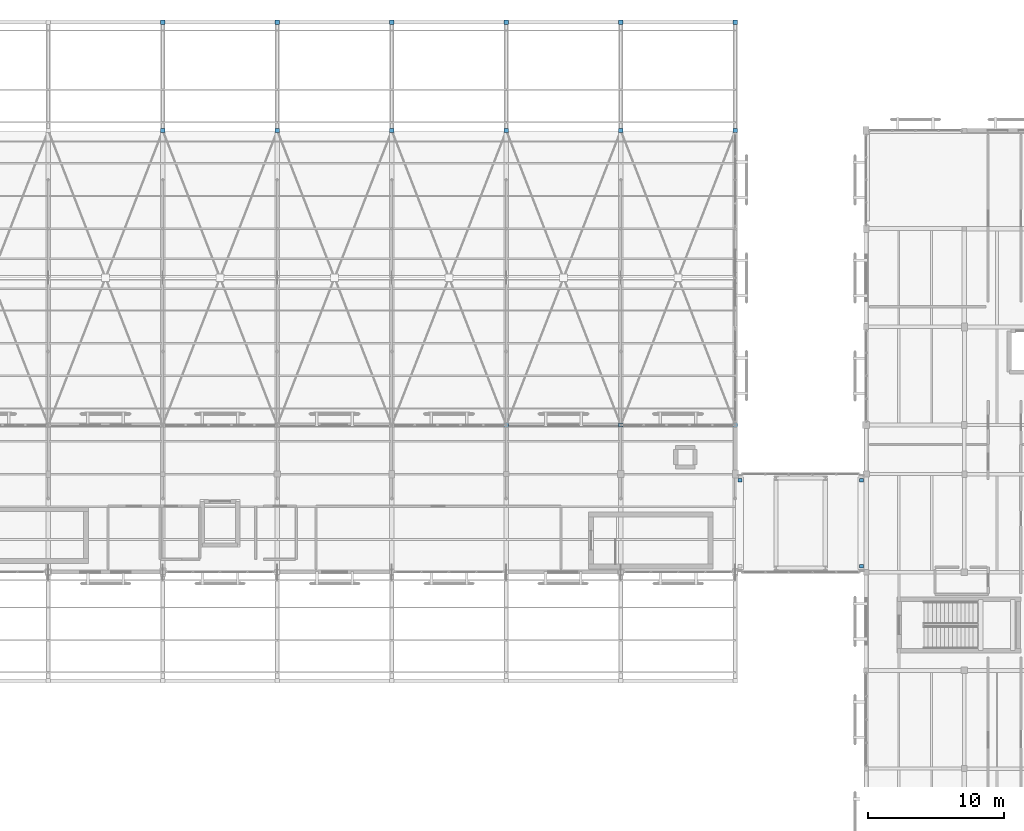
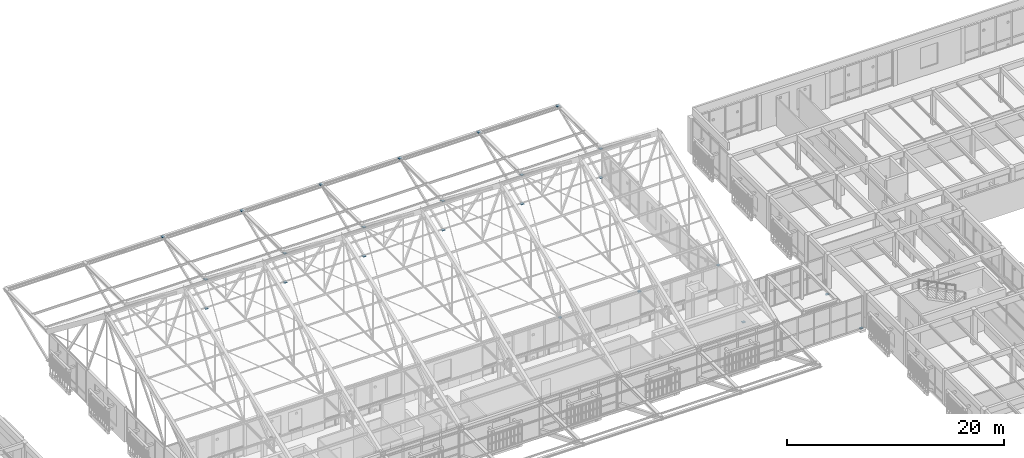
# One storey, part 195 of 217: 24 discrete accessories.
"""IFC4 building model written with IfcOpenShell, lengths in metres."""

from ifc_helpers import new_model, si_unit, direction, frame, origin, origin_2d, place, context, subcontext, project, spatial, rectangle, extrude, material, type_object, element, save


model = new_model("IFC4")

# Units and contexts
model_context = context("Model", 3, precision=1e-05, world=origin(), true_north=direction((0.0, 1.0)))
body_context = subcontext(model_context, "Body", "Model", "MODEL_VIEW")
ifc_project = project(units=[si_unit("LENGTHUNIT", "METRE"), si_unit("AREAUNIT", "SQUARE_METRE"), si_unit("VOLUMEUNIT", "CUBIC_METRE"), si_unit("PLANEANGLEUNIT", "RADIAN"), si_unit("MASSUNIT", "GRAM", prefix="KILO")], contexts=[model_context])

# Site, building, storey
site_placement = place(None, origin())
site = spatial("IfcSite", under=ifc_project, at=site_placement, CompositionType="ELEMENT")
building_placement = place(site_placement, origin())
building = spatial("IfcBuilding", under=site, at=building_placement, Name="Mazaris Harbour Polytechnic", CompositionType="ELEMENT")
storey_placement = place(building_placement, frame((0.0, 0.0, 9.60009765625)))
storey = spatial("IfcBuildingStorey", under=building, at=storey_placement, Name="L02", CompositionType="ELEMENT", Elevation=9.60009765625)

# Discrete accessories
ifc_material_1 = material(Name="Steel S355", Category="steel")
discrete_accessory_type_1 = type_object("IfcDiscreteAccessoryType", Name="PTFE Sliding Bridge Bearing 300x250x65 Exterior", PredefinedType="BRACKET", material=ifc_material_1)
for number, where, z_axis, x_axis, name in (
    (1, (113.14990234375, 82.35009765625, -0.330078125), (0.0, 0.0, 1.0), (1.0, 0.0, 0.0), "PB-E2 L02 PTFE Sliding Bearing W2"),
    (2, (122.050048828125, 76.050048828125, -0.330078125), (0.0, 0.0, 1.0), (1.0, 0.0, 0.0), "PB-E2 L02 PTFE Sliding Bearing E1"),
    (3, (122.050048828125, 82.35009765625, -0.330078125), (0.0, 0.0, 1.0), (1.0, 0.0, 0.0), "PB-E2 L02 PTFE Sliding Bearing E2"),
):
    element("IfcDiscreteAccessory", number, at=place(storey_placement, frame(where, z_axis=z_axis, x_axis=x_axis)), inside=storey, type_object=discrete_accessory_type_1, Name=name, PredefinedType="BRACKET", context=body_context, shape_type="SweptSolid", body=[
        extrude(rectangle(XDim=0.300048828125, YDim=0.25, at=origin_2d()), origin(), (0.0, 0.0, 1.0), 0.06494140625),
    ])
ifc_material_2 = material(Name="Steel S355", Category="steel")
discrete_accessory_type_2 = type_object("IfcDiscreteAccessoryType", Name="Steel Brace End Connection Plate 300x300x24", PredefinedType="BRACKET", material=ifc_material_2)
for number, where, z_axis, x_axis, name in (
    (4, (70.800048828125, 108.0, 3.738037109375), (0.0, 0.0, 1.0), (1.0, 0.0, 0.0), "Wind Brace End Connection Plate 3-2"),
    (5, (79.199951171875, 108.0, 3.738037109375), (0.0, 0.0, 1.0), (1.0, 0.0, 0.0), "Wind Brace End Connection Plate 4-2"),
    (6, (87.60009765625, 108.0, 3.738037109375), (0.0, 0.0, 1.0), (1.0, 0.0, 0.0), "Wind Brace End Connection Plate 5-2"),
    (7, (96.0, 86.39990234375, 3.738037109375), (0.0, 0.0, 1.0), (1.0, 0.0, 0.0), "Wind Brace End Connection Plate 6-1"),
    (8, (96.0, 108.0, 3.738037109375), (0.0, 0.0, 1.0), (1.0, 0.0, 0.0), "Wind Brace End Connection Plate 6-2"),
    (9, (104.39990234375, 86.39990234375, 3.738037109375), (0.0, 0.0, 1.0), (1.0, 0.0, 0.0), "Wind Brace End Connection Plate 7-1"),
    (10, (104.39990234375, 108.0, 3.738037109375), (0.0, 0.0, 1.0), (1.0, 0.0, 0.0), "Wind Brace End Connection Plate 7-2"),
    (11, (112.800048828125, 86.39990234375, 3.738037109375), (0.0, 0.0, 1.0), (1.0, 0.0, 0.0), "Wind Brace End Connection Plate 7-3"),
    (12, (112.800048828125, 108.0, 3.738037109375), (0.0, 0.0, 1.0), (1.0, 0.0, 0.0), "Wind Brace End Connection Plate 7-4"),
):
    element("IfcDiscreteAccessory", number, at=place(storey_placement, frame(where, z_axis=z_axis, x_axis=x_axis)), inside=storey, type_object=discrete_accessory_type_2, Name=name, PredefinedType="BRACKET", context=body_context, shape_type="SweptSolid", body=[
        extrude(rectangle(XDim=0.300048828125, YDim=0.300048828125, at=origin_2d()), origin(), (0.0, 0.0, 1.0), 0.02392578125),
    ])
ifc_material_3 = material(Name="Steel S355", Category="steel")
discrete_accessory_type_3 = type_object("IfcDiscreteAccessoryType", Name="Steel Brace End Connection Plate 320x320x24 Exterior", PredefinedType="BRACKET", material=ifc_material_3)
for number, where, z_axis, x_axis, name in (
    (13, (70.800048828125, 108.0, 0.488037109375), (0.0, 0.0, 1.0), (1.0, 0.0, 0.0), "Truss 3 Eave Strut End Plate 3"),
    (14, (70.800048828125, 115.949951171875, 3.738037109375), (0.0, 0.0, 1.0), (1.0, 0.0, 0.0), "Truss 3 Eave Strut End Plate 4"),
    (15, (79.199951171875, 108.0, 0.488037109375), (0.0, 0.0, 1.0), (1.0, 0.0, 0.0), "Truss 4 Eave Strut End Plate 3"),
    (16, (79.199951171875, 115.949951171875, 3.738037109375), (0.0, 0.0, 1.0), (1.0, 0.0, 0.0), "Truss 4 Eave Strut End Plate 4"),
    (17, (87.60009765625, 108.0, 0.488037109375), (0.0, 0.0, 1.0), (1.0, 0.0, 0.0), "Truss 5 Eave Strut End Plate 3"),
    (18, (87.60009765625, 115.949951171875, 3.738037109375), (0.0, 0.0, 1.0), (1.0, 0.0, 0.0), "Truss 5 Eave Strut End Plate 4"),
    (19, (96.0, 108.0, 0.488037109375), (0.0, 0.0, 1.0), (1.0, 0.0, 0.0), "Truss 6 Eave Strut End Plate 3"),
    (20, (96.0, 115.949951171875, 3.738037109375), (0.0, 0.0, 1.0), (1.0, 0.0, 0.0), "Truss 6 Eave Strut End Plate 4"),
    (21, (104.39990234375, 108.0, 0.488037109375), (0.0, 0.0, 1.0), (1.0, 0.0, 0.0), "Truss 7 Eave Strut End Plate 3"),
    (22, (104.39990234375, 115.949951171875, 3.738037109375), (0.0, 0.0, 1.0), (1.0, 0.0, 0.0), "Truss 7 Eave Strut End Plate 4"),
    (23, (112.800048828125, 108.0, 0.488037109375), (0.0, 0.0, 1.0), (1.0, 0.0, 0.0), "Truss 8 Eave Strut End Plate 3"),
    (24, (112.800048828125, 115.949951171875, 3.738037109375), (0.0, 0.0, 1.0), (1.0, 0.0, 0.0), "Truss 8 Eave Strut End Plate 4"),
):
    element("IfcDiscreteAccessory", number, at=place(storey_placement, frame(where, z_axis=z_axis, x_axis=x_axis)), inside=storey, type_object=discrete_accessory_type_3, Name=name, PredefinedType="BRACKET", context=body_context, shape_type="SweptSolid", body=[
        extrude(rectangle(XDim=0.320068359375, YDim=0.320068359375, at=origin_2d()), origin(), (0.0, 0.0, 1.0), 0.02392578125),
    ])

save(model, "model.ifc")
